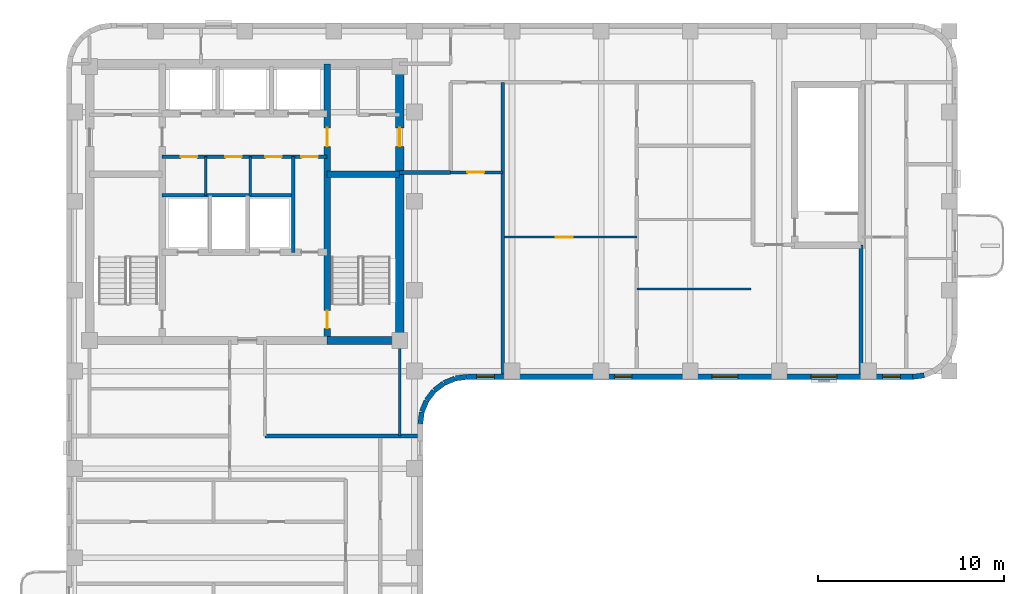
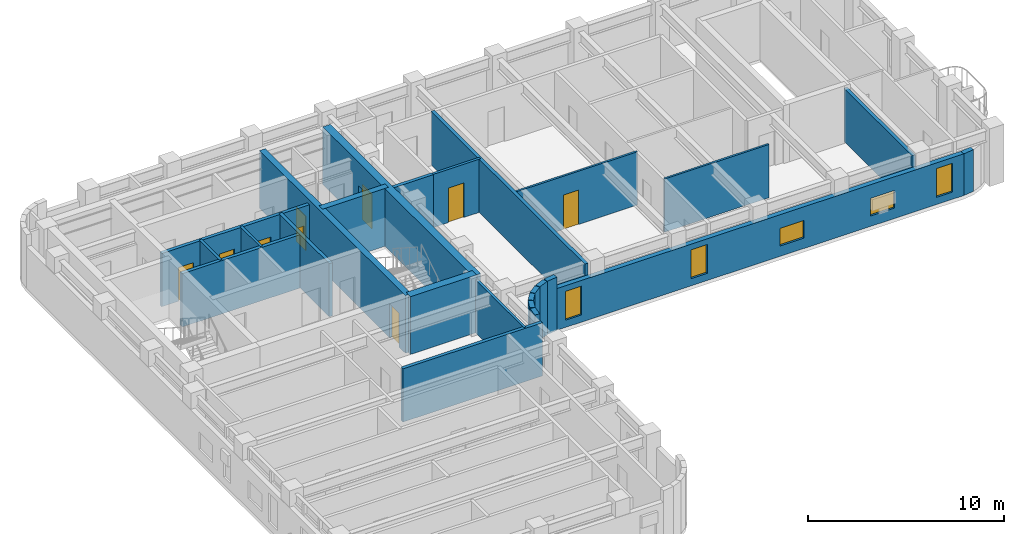
# One storey, part 4 of 8: 25 walls, 9 doors, 5 windows, 14 openings.
"""IFC4 building model written with IfcOpenShell, lengths in metres."""

from ifc_helpers import new_model, si_unit, direction, frame, frame_2d, origin, place, context, subcontext, project, spatial, rectangle, extrude, material, layer, layer_set, type_object, element, fill, save


model = new_model("IFC4")

# Units and contexts
model_context = context("Model", 3, precision=1e-05, world=origin(), true_north=direction((0.0, 1.0)))
body_context = subcontext(model_context, "Body", "Model", "MODEL_VIEW")
ifc_project = project(units=[si_unit("LENGTHUNIT", "METRE"), si_unit("AREAUNIT", "SQUARE_METRE"), si_unit("VOLUMEUNIT", "CUBIC_METRE"), si_unit("PLANEANGLEUNIT", "RADIAN"), si_unit("MASSUNIT", "GRAM", prefix="KILO")], contexts=[model_context])

# Site, building, storey
site_placement = place(None, origin())
site = spatial("IfcSite", under=ifc_project, at=site_placement, CompositionType="ELEMENT")
building_placement = place(site_placement, origin())
building = spatial("IfcBuilding", under=site, at=building_placement, Name="Orvandelia Arch Residences", CompositionType="ELEMENT")
storey_placement = place(building_placement, frame((0.0, 0.0, 236.199951171875)))
storey = spatial("IfcBuildingStorey", under=building, at=storey_placement, Name="L62", CompositionType="ELEMENT", Elevation=236.199951171875)

# Wall, openings, doors
ifc_material_1 = material(Name="Concrete C50/60", Category="concrete")
ifc_layer_1 = layer(ifc_material_1, 0.35009765625, Name="Concrete C50/60", Category="concrete")
ifc_layer_set_1 = layer_set([ifc_layer_1], Name="Concrete C50/60")
wall_type_1 = type_object("IfcWallType", Name="WL-CORE-350", PredefinedType="SHEAR", material=ifc_layer_set_1)
wall_1_placement = place(storey_placement, frame((18.840087890625, 30.89990234375, 0.0), z_axis=(0.0, 0.0, 1.0), x_axis=(0.0, 1.0, 0.0)))
wall_1 = element("IfcWall", 1, at=wall_1_placement, inside=storey, type_object=wall_type_1, Name="Core Shear Wall L62-WEB2", PredefinedType="SHEAR", context=body_context, shape_type="SweptSolid", body=[
    extrude(rectangle(XDim=14.900146484375, YDim=0.35009765625, at=frame_2d((7.4501953125, 0.0))), origin(), (0.0, 0.0, 1.0), 3.60009765625),
])
opening_1_placement = place(wall_1_placement, frame((0.64990234375, 0.0, 0.0)))
opening_1 = element("IfcOpeningElement", 2, at=opening_1_placement, cuts=wall_1, Name="Opening D7", PredefinedType="OPENING", context=body_context, shape_type="SweptSolid", body=[
    extrude(rectangle(XDim=0.949951171875, YDim=2.10009765625, at=frame_2d((0.47509765625, 1.050048828125))), frame((0.0, 0.18505859375, 0.0), z_axis=(0.0, -1.0, 0.0), x_axis=(1.0, 0.0, 0.0)), (0.0, 0.0, 1.0), 0.3701171875),
])
opening_2_placement = place(wall_1_placement, frame((10.449951171875, 0.0, 0.0)))
opening_2 = element("IfcOpeningElement", 3, at=opening_2_placement, cuts=wall_1, Name="Opening D6", PredefinedType="OPENING", context=body_context, shape_type="SweptSolid", body=[
    extrude(rectangle(XDim=1.0, YDim=2.14990234375, at=frame_2d((0.5, 1.074951171875))), frame((0.0, 0.18505859375, 0.0), z_axis=(0.0, -1.0, 0.0), x_axis=(1.0, 0.0, 0.0)), (0.0, 0.0, 1.0), 0.3701171875),
])
ifc_material_2 = material(Name="Smokeproof Painted Steel Fire Door", Category="steel")
door_type_1 = type_object("IfcDoorType", Name="DR-FD60-1000", OperationType="NOTDEFINED", PredefinedType="DOOR", material=ifc_material_2)
door_1_placement = place(opening_2_placement, origin())
door_1 = element("IfcDoor", 4, at=door_1_placement, inside=storey, type_object=door_type_1, Name="High-Rise Lift Hall East Vestibule Door L62", OperationType="SINGLE_SWING_RIGHT", OverallHeight=2.14990234375, OverallWidth=1.0, PredefinedType="DOOR", context=body_context, shape_type="SweptSolid", body=[
    extrude(rectangle(XDim=1.0, YDim=2.14990234375, at=frame_2d((0.5, 1.074951171875))), frame((0.0, 0.02490234375, 0.0), z_axis=(0.0, -1.0, 0.0), x_axis=(1.0, 0.0, 0.0)), (0.0, 0.0, 1.0), 0.050048828125),
])
fill(opening_2, door_1)
ifc_material_3 = material(Name="Pressurised Stairwell Fire Door")
door_type_2 = type_object("IfcDoorType", Name="DR-STAIR-950", OperationType="NOTDEFINED", PredefinedType="DOOR", material=ifc_material_3)
door_2_placement = place(opening_1_placement, origin())
door_2 = element("IfcDoor", 5, at=door_2_placement, inside=storey, type_object=door_type_2, Name="Stairwell ST-2 Fire Door L62", OperationType="SINGLE_SWING_RIGHT", OverallHeight=2.10009765625, OverallWidth=0.949951171875, PredefinedType="DOOR", context=body_context, shape_type="SweptSolid", body=[
    extrude(rectangle(XDim=0.949951171875, YDim=2.10009765625, at=frame_2d((0.47509765625, 1.050048828125))), frame((0.0, 0.02490234375, 0.0), z_axis=(0.0, -1.0, 0.0), x_axis=(1.0, 0.0, 0.0)), (0.0, 0.0, 1.0), 0.050048828125),
])
fill(opening_1, door_2)

# Wall
wall_2_placement = place(storey_placement, frame((18.840087890625, 39.85009765625, 0.0), z_axis=(0.0, 0.0, 1.0), x_axis=(1.0, 0.0, 0.0)))
element("IfcWall", 6, at=wall_2_placement, inside=storey, type_object=wall_type_1, Name="Core Shear Wall L62-HZ2", PredefinedType="SHEAR", context=body_context, shape_type="SweptSolid", body=[
    extrude(rectangle(XDim=3.909912109375, YDim=0.35009765625, at=frame_2d((1.955078125, 0.0))), origin(), (0.0, 0.0, 1.0), 3.60009765625),
])

# Wall, opening, door
ifc_layer_2 = layer(ifc_material_1, 0.449951171875, Name="Concrete C50/60", Category="concrete")
ifc_layer_set_2 = layer_set([ifc_layer_2], Name="Concrete C50/60")
wall_type_2 = type_object("IfcWallType", Name="WL-CORE-450", PredefinedType="SHEAR", material=ifc_layer_set_2)
wall_3_placement = place(storey_placement, frame((22.75, 30.675048828125, 0.0), z_axis=(0.0, 0.0, 1.0), x_axis=(0.0, 1.0, 0.0)))
wall_3 = element("IfcWall", 7, at=wall_3_placement, inside=storey, type_object=wall_type_2, Name="Core Shear Wall L62-E", PredefinedType="SHEAR", context=body_context, shape_type="SweptSolid", body=[
    extrude(rectangle(XDim=15.349853515625, YDim=0.449951171875, at=frame_2d((7.6748046875, 0.0))), origin(), (0.0, 0.0, 1.0), 3.60009765625),
])
opening_3_placement = place(wall_3_placement, frame((10.675048828125, 0.0, 0.0)))
opening_3 = element("IfcOpeningElement", 8, at=opening_3_placement, cuts=wall_3, Name="Opening D6", PredefinedType="OPENING", context=body_context, shape_type="SweptSolid", body=[
    extrude(rectangle(XDim=1.0, YDim=2.14990234375, at=frame_2d((0.5, 1.074951171875))), frame((0.0, 0.23486328125, 0.0), z_axis=(0.0, -1.0, 0.0), x_axis=(1.0, 0.0, 0.0)), (0.0, 0.0, 1.0), 0.469970703125),
])
door_3_placement = place(opening_3_placement, origin())
door_3 = element("IfcDoor", 9, at=door_3_placement, inside=storey, type_object=door_type_1, Name="Core East Corridor Link Door L62", OperationType="SINGLE_SWING_LEFT", OverallHeight=2.14990234375, OverallWidth=1.0, PredefinedType="DOOR", context=body_context, shape_type="SweptSolid", body=[
    extrude(rectangle(XDim=1.0, YDim=2.14990234375, at=frame_2d((0.5, 1.074951171875))), frame((0.0, 0.02490234375, 0.0), z_axis=(0.0, -1.0, 0.0), x_axis=(1.0, 0.0, 0.0)), (0.0, 0.0, 1.0), 0.050048828125),
])
fill(opening_3, door_3)

# Walls
wall_4_placement = place(storey_placement, frame((18.840087890625, 30.89990234375, 0.0), z_axis=(0.0, 0.0, 1.0), x_axis=(1.0, 0.0, 0.0)))
element("IfcWall", 10, at=wall_4_placement, inside=storey, type_object=wall_type_2, Name="Core Shear Wall L62-SE", PredefinedType="SHEAR", context=body_context, shape_type="SweptSolid", body=[
    extrude(rectangle(XDim=3.909912109375, YDim=0.449951171875, at=frame_2d((1.955078125, 0.0))), origin(), (0.0, 0.0, 1.0), 3.60009765625),
])
ifc_material_4 = material(Name="Fire-Rated Corridor Partition")
ifc_layer_3 = layer(ifc_material_4, 0.199951171875, Name="Fire-Rated Corridor Partition")
ifc_layer_set_3 = layer_set([ifc_layer_3], Name="Fire-Rated Corridor Partition")
wall_type_3 = type_object("IfcWallType", Name="WL-CORR-200", PredefinedType="PARTITIONING", material=ifc_layer_set_3)
wall_5_placement = place(storey_placement, frame((15.5, 25.75, 0.0), z_axis=(0.0, 0.0, 1.0), x_axis=(1.0, 0.0, 0.0)))
element("IfcWall", 11, at=wall_5_placement, inside=storey, type_object=wall_type_3, Name="Interior Partition Wall WL-L62-WLNK-NE", PredefinedType="PARTITIONING", context=body_context, shape_type="SweptSolid", body=[
    extrude(rectangle(XDim=8.219970703125, YDim=0.199951171875, at=frame_2d((4.10986328125, 0.0))), origin(), (0.0, 0.0, 1.0), 3.320068359375),
])
wall_6_placement = place(storey_placement, frame((22.75, 39.949951171875, 0.0), z_axis=(0.0, 0.0, 1.0), x_axis=(1.0, 0.0, 0.0)))
element("IfcWall", 12, at=wall_6_placement, inside=storey, type_object=wall_type_3, Name="Interior Partition Wall WL-L62-EN2-LS", PredefinedType="PARTITIONING", context=body_context, shape_type="SweptSolid", body=[
    extrude(rectangle(XDim=2.75, YDim=0.199951171875, at=frame_2d((1.375, 0.0))), origin(), (0.0, 0.0, 1.0), 3.320068359375),
])
ifc_material_5 = material(Name="Concrete C40/50", Category="concrete")
ifc_layer_4 = layer(ifc_material_5, 0.199951171875, Name="Concrete C40/50", Category="concrete")
ifc_layer_set_4 = layer_set([ifc_layer_4], Name="Concrete C40/50")
wall_type_4 = type_object("IfcWallType", Name="WL-DEM-200", PredefinedType="SOLIDWALL", material=ifc_layer_set_4)
wall_7_placement = place(storey_placement, frame((28.300048828125, 29.080078125, 0.0), z_axis=(0.0, 0.0, 1.0), x_axis=(0.0, 1.0, 0.0)))
element("IfcWall", 13, at=wall_7_placement, inside=storey, type_object=wall_type_4, Name="Interior Partition Wall WL-L62-EN2-KLE", PredefinedType="SOLIDWALL", context=body_context, shape_type="SweptSolid", body=[
    extrude(rectangle(XDim=15.719970703125, YDim=0.199951171875, at=frame_2d((7.85986328125, 0.0))), origin(), (0.0, 0.0, 1.0), 3.320068359375),
])
wall_8_placement = place(storey_placement, frame((47.60009765625, 29.080078125, 0.0), z_axis=(0.0, 0.0, 1.0), x_axis=(0.0, 1.0, 0.0)))
element("IfcWall", 14, at=wall_8_placement, inside=storey, type_object=wall_type_4, Name="Interior Partition Wall WL-L62-EN2-SLE", PredefinedType="SOLIDWALL", context=body_context, shape_type="SweptSolid", body=[
    extrude(rectangle(XDim=6.9599609375, YDim=0.199951171875, at=frame_2d((3.47998046875, 0.0))), origin(), (0.0, 0.0, 1.0), 3.320068359375),
])
ifc_material_6 = material(Name="Precast concrete C40/50", Category="concrete")
ifc_layer_5 = layer(ifc_material_6, 0.280029296875, Name="Precast concrete C40/50", Category="concrete")
ifc_layer_set_5 = layer_set([ifc_layer_5], Name="Precast concrete C40/50")
wall_type_5 = type_object("IfcWallType", Name="WL-EXT-STONE-280", PredefinedType="STANDARD", material=ifc_layer_set_5)
wall_9_placement = place(storey_placement, frame((51.0029296875, 29.0205078125, 0.0), z_axis=(0.0, 0.0, 1.0), x_axis=(-0.991447664465, -0.130504898859, 0.0)))
element("IfcWall", 15, at=wall_9_placement, inside=storey, type_object=wall_type_5, Name="Coral-Limestone Precast Facade Wall L62-020", PredefinedType="STANDARD", context=body_context, shape_type="SweptSolid", body=[
    extrude(rectangle(XDim=0.626708984375, YDim=0.280029296875, at=frame_2d((0.3134765625, 0.0))), origin(), (0.0, 0.0, 1.0), 2.60009765625),
])

# Wall, openings, windows
wall_10_placement = place(storey_placement, frame((50.39990234375, 28.93994140625, 0.0), z_axis=(0.0, 0.0, 1.0), x_axis=(-1.0, 0.0, 0.0)))
wall_10 = element("IfcWall", 16, at=wall_10_placement, inside=storey, type_object=wall_type_5, Name="Coral-Limestone Precast Facade Wall L62-021", PredefinedType="STANDARD", context=body_context, shape_type="SweptSolid", body=[
    extrude(rectangle(XDim=24.0, YDim=0.280029296875, at=frame_2d((12.0, 0.0))), origin(), (0.0, 0.0, 1.0), 2.60009765625),
])
opening_4_placement = place(wall_10_placement, frame((9.4375, 0.0, 0.64990234375)))
opening_4 = element("IfcOpeningElement", 17, at=opening_4_placement, cuts=wall_10, Name="Opening W10", PredefinedType="OPENING", context=body_context, shape_type="SweptSolid", body=[
    extrude(rectangle(XDim=1.39990234375, YDim=1.10009765625, at=frame_2d((0.699951171875, 0.550048828125))), frame((0.0, 0.14990234375, 0.0), z_axis=(0.0, -1.0, 0.0), x_axis=(1.0, 0.0, 0.0)), (0.0, 0.0, 1.0), 0.300048828125),
])
opening_5_placement = place(wall_10_placement, frame((22.554931640625, 0.0, 0.449951171875)))
opening_5 = element("IfcOpeningElement", 18, at=opening_5_placement, cuts=wall_10, Name="Opening W4", PredefinedType="OPENING", context=body_context, shape_type="SweptSolid", body=[
    extrude(rectangle(XDim=0.949951171875, YDim=1.800048828125, at=frame_2d((0.47509765625, 0.89990234375))), frame((0.0, 0.14990234375, 0.0), z_axis=(0.0, -1.0, 0.0), x_axis=(1.0, 0.0, 0.0)), (0.0, 0.0, 1.0), 0.300048828125),
])
opening_6_placement = place(wall_10_placement, frame((4.10009765625, 0.0, 0.64990234375)))
opening_6 = element("IfcOpeningElement", 19, at=opening_6_placement, cuts=wall_10, Name="Opening W10", PredefinedType="OPENING", context=body_context, shape_type="SweptSolid", body=[
    extrude(rectangle(XDim=1.39990234375, YDim=1.10009765625, at=frame_2d((0.699951171875, 0.550048828125))), frame((0.0, 0.14990234375, 0.0), z_axis=(0.0, -1.0, 0.0), x_axis=(1.0, 0.0, 0.0)), (0.0, 0.0, 1.0), 0.300048828125),
])
opening_7_placement = place(wall_10_placement, frame((15.138427734375, 0.0, 0.449951171875)))
opening_7 = element("IfcOpeningElement", 20, at=opening_7_placement, cuts=wall_10, Name="Opening W4", PredefinedType="OPENING", context=body_context, shape_type="SweptSolid", body=[
    extrude(rectangle(XDim=0.949951171875, YDim=1.800048828125, at=frame_2d((0.47509765625, 0.89990234375))), frame((0.0, 0.14990234375, 0.0), z_axis=(0.0, -1.0, 0.0), x_axis=(1.0, 0.0, 0.0)), (0.0, 0.0, 1.0), 0.300048828125),
])
opening_8_placement = place(wall_10_placement, frame((0.680908203125, 0.0, 0.449951171875)))
opening_8 = element("IfcOpeningElement", 21, at=opening_8_placement, cuts=wall_10, Name="Opening W4", PredefinedType="OPENING", context=body_context, shape_type="SweptSolid", body=[
    extrude(rectangle(XDim=0.949951171875, YDim=1.800048828125, at=frame_2d((0.47509765625, 0.89990234375))), frame((0.0, 0.14990234375, 0.0), z_axis=(0.0, -1.0, 0.0), x_axis=(1.0, 0.0, 0.0)), (0.0, 0.0, 1.0), 0.300048828125),
])
ifc_material_7 = material(Name="Tempered Low-E Insulated Glazing", Category="glass")
window_type_1 = type_object("IfcWindowType", Name="WIN-CLR-1400x1100", PartitioningType="SINGLE_PANEL", PredefinedType="WINDOW", material=ifc_material_7)
window_1_placement = place(opening_4_placement, origin())
window_1 = element("IfcWindow", 22, at=window_1_placement, inside=storey, type_object=window_type_1, Name="Recessed Punched Window L62-007", OverallHeight=1.10009765625, OverallWidth=1.39990234375, PartitioningType="SINGLE_PANEL", PredefinedType="WINDOW", context=body_context, shape_type="SweptSolid", body=[
    extrude(rectangle(XDim=1.39990234375, YDim=1.10009765625, at=frame_2d((0.699951171875, 0.550048828125))), frame((0.0, 0.030029296875, 0.0), z_axis=(0.0, -1.0, 0.0), x_axis=(1.0, 0.0, 0.0)), (0.0, 0.0, 1.0), 0.06005859375),
])
fill(opening_4, window_1)
window_2_placement = place(opening_6_placement, origin())
window_2 = element("IfcWindow", 23, at=window_2_placement, inside=storey, type_object=window_type_1, Name="Recessed Punched Window L62-009", OverallHeight=1.10009765625, OverallWidth=1.39990234375, PartitioningType="SINGLE_PANEL", PredefinedType="WINDOW", context=body_context, shape_type="SweptSolid", body=[
    extrude(rectangle(XDim=1.39990234375, YDim=1.10009765625, at=frame_2d((0.699951171875, 0.550048828125))), frame((0.0, 0.030029296875, 0.0), z_axis=(0.0, -1.0, 0.0), x_axis=(1.0, 0.0, 0.0)), (0.0, 0.0, 1.0), 0.06005859375),
])
fill(opening_6, window_2)
window_type_2 = type_object("IfcWindowType", Name="WIN-RES-0950x1800", PartitioningType="SINGLE_PANEL", PredefinedType="WINDOW", material=ifc_material_7)
window_3_placement = place(opening_5_placement, origin())
window_3 = element("IfcWindow", 24, at=window_3_placement, inside=storey, type_object=window_type_2, Name="Recessed Punched Window L62-008", OverallHeight=1.800048828125, OverallWidth=0.949951171875, PartitioningType="SINGLE_PANEL", PredefinedType="WINDOW", context=body_context, shape_type="SweptSolid", body=[
    extrude(rectangle(XDim=0.949951171875, YDim=1.800048828125, at=frame_2d((0.47509765625, 0.89990234375))), frame((0.0, 0.030029296875, 0.0), z_axis=(0.0, -1.0, 0.0), x_axis=(1.0, 0.0, 0.0)), (0.0, 0.0, 1.0), 0.06005859375),
])
fill(opening_5, window_3)
window_4_placement = place(opening_7_placement, origin())
window_4 = element("IfcWindow", 25, at=window_4_placement, inside=storey, type_object=window_type_2, Name="Recessed Punched Window L62-010", OverallHeight=1.800048828125, OverallWidth=0.949951171875, PartitioningType="SINGLE_PANEL", PredefinedType="WINDOW", context=body_context, shape_type="SweptSolid", body=[
    extrude(rectangle(XDim=0.949951171875, YDim=1.800048828125, at=frame_2d((0.47509765625, 0.89990234375))), frame((0.0, 0.030029296875, 0.0), z_axis=(0.0, -1.0, 0.0), x_axis=(1.0, 0.0, 0.0)), (0.0, 0.0, 1.0), 0.06005859375),
])
fill(opening_7, window_4)
window_5_placement = place(opening_8_placement, origin())
window_5 = element("IfcWindow", 26, at=window_5_placement, inside=storey, type_object=window_type_2, Name="Recessed Punched Window L62-011", OverallHeight=1.800048828125, OverallWidth=0.949951171875, PartitioningType="SINGLE_PANEL", PredefinedType="WINDOW", context=body_context, shape_type="SweptSolid", body=[
    extrude(rectangle(XDim=0.949951171875, YDim=1.800048828125, at=frame_2d((0.47509765625, 0.89990234375))), frame((0.0, 0.030029296875, 0.0), z_axis=(0.0, -1.0, 0.0), x_axis=(1.0, 0.0, 0.0)), (0.0, 0.0, 1.0), 0.06005859375),
])
fill(opening_8, window_5)

# Walls
wall_11_placement = place(storey_placement, frame((26.381591796875, 28.938720703125, 0.0), z_axis=(0.0, 0.0, 1.0), x_axis=(-0.9914410257, -0.130555323746, 0.0)))
element("IfcWall", 27, at=wall_11_placement, inside=storey, type_object=wall_type_5, Name="Coral-Limestone Precast Facade Wall L62-022", PredefinedType="STANDARD", context=body_context, shape_type="SweptSolid", body=[
    extrude(rectangle(XDim=0.62646484375, YDim=0.280029296875, at=frame_2d((0.313232421875, 0.0))), origin(), (0.0, 0.0, 1.0), 3.320068359375),
])
wall_12_placement = place(storey_placement, frame((25.72509765625, 28.847412109375, 0.0), z_axis=(0.0, 0.0, 1.0), x_axis=(-0.923974080304, -0.382455093999, 0.0)))
element("IfcWall", 28, at=wall_12_placement, inside=storey, type_object=wall_type_5, Name="Coral-Limestone Precast Facade Wall L62-023", PredefinedType="STANDARD", context=body_context, shape_type="SweptSolid", body=[
    extrude(rectangle(XDim=0.626220703125, YDim=0.280029296875, at=frame_2d((0.31298828125, 0.0))), origin(), (0.0, 0.0, 1.0), 3.320068359375),
])
for number, where, z_axis, x_axis, name in (
    (29, (25.11474609375, 28.589599609375, 0.0), (0.0, 0.0, 1.0), (-0.793405610854, -0.608693302629, 0.0), "Coral-Limestone Precast Facade Wall L62-024"),
    (30, (24.591796875, 28.182373046875, 0.0), (0.0, 0.0, 1.0), (-0.608693302629, -0.793405610854, 0.0), "Coral-Limestone Precast Facade Wall L62-025"),
    (31, (24.192138671875, 27.653564453125, 0.0), (0.0, 0.0, 1.0), (-0.382650053678, -0.92389335771, 0.0), "Coral-Limestone Precast Facade Wall L62-026"),
):
    element("IfcWall", number, at=place(storey_placement, frame(where, z_axis=z_axis, x_axis=x_axis)), inside=storey, type_object=wall_type_5, Name=name, PredefinedType="STANDARD", context=body_context, shape_type="SweptSolid", body=[
        extrude(rectangle(XDim=0.62646484375, YDim=0.280029296875, at=frame_2d((0.313232421875, 0.0))), origin(), (0.0, 0.0, 1.0), 3.320068359375),
    ])
wall_13_placement = place(storey_placement, frame((23.943115234375, 27.03955078125, 0.0), z_axis=(0.0, 0.0, 1.0), x_axis=(-0.130887801573, -0.991397187508, 0.0)))
element("IfcWall", 32, at=wall_13_placement, inside=storey, type_object=wall_type_5, Name="Coral-Limestone Precast Facade Wall L62-027", PredefinedType="STANDARD", context=body_context, shape_type="SweptSolid", body=[
    extrude(rectangle(XDim=0.626708984375, YDim=0.280029296875, at=frame_2d((0.3134765625, 0.0))), origin(), (0.0, 0.0, 1.0), 3.320068359375),
])

# Wall, opening, door
ifc_material_8 = material(Name="Lightweight Gypsum Stud Partition")
ifc_layer_6 = layer(ifc_material_8, 0.1201171875, Name="Lightweight Gypsum Stud Partition")
ifc_layer_set_6 = layer_set([ifc_layer_6], Name="Lightweight Gypsum Stud Partition")
wall_type_6 = type_object("IfcWallType", Name="WL-PART-120", PredefinedType="PARTITIONING", material=ifc_layer_set_6)
wall_14_placement = place(storey_placement, frame((28.39990234375, 36.468017578125, 0.0), z_axis=(0.0, 0.0, 1.0), x_axis=(1.0, 0.0, 0.0)))
wall_14 = element("IfcWall", 33, at=wall_14_placement, inside=storey, type_object=wall_type_6, Name="Interior Partition Wall WL-L62-U04-DIN", PredefinedType="PARTITIONING", context=body_context, shape_type="SweptSolid", body=[
    extrude(rectangle(XDim=7.128173828125, YDim=0.1201171875, at=frame_2d((3.56396484375, 0.0))), origin(), (0.0, 0.0, 1.0), 3.320068359375),
])
opening_9_placement = place(wall_14_placement, frame((2.7666015625, 0.0, 0.0)))
opening_9 = element("IfcOpeningElement", 34, at=opening_9_placement, cuts=wall_14, Name="Opening D3", PredefinedType="OPENING", context=body_context, shape_type="SweptSolid", body=[
    extrude(rectangle(XDim=0.89990234375, YDim=2.14990234375, at=frame_2d((0.449951171875, 1.074951171875))), frame((0.0, 0.070068359375, 0.0), z_axis=(0.0, -1.0, 0.0), x_axis=(1.0, 0.0, 0.0)), (0.0, 0.0, 1.0), 0.14013671875),
])
ifc_material_9 = material(Name="Engineered Timber Flush Door", Category="wood")
door_type_3 = type_object("IfcDoorType", Name="DR-INT-900", OperationType="NOTDEFINED", PredefinedType="DOOR", material=ifc_material_9)
door_4_placement = place(opening_9_placement, origin())
door_4 = element("IfcDoor", 35, at=door_4_placement, inside=storey, type_object=door_type_3, Name="DR-L62-U04-DIN", OperationType="SINGLE_SWING_LEFT", OverallHeight=2.14990234375, OverallWidth=0.89990234375, PredefinedType="DOOR", context=body_context, shape_type="SweptSolid", body=[
    extrude(rectangle(XDim=0.89990234375, YDim=2.14990234375, at=frame_2d((0.449951171875, 1.074951171875))), frame((0.0, 0.02490234375, 0.0), z_axis=(0.0, -1.0, 0.0), x_axis=(1.0, 0.0, 0.0)), (0.0, 0.0, 1.0), 0.050048828125),
])
fill(opening_9, door_4)

# Walls
wall_15_placement = place(storey_placement, frame((35.528076171875, 33.6708984375, 0.0), z_axis=(0.0, 0.0, 1.0), x_axis=(1.0, 0.0, 0.0)))
element("IfcWall", 36, at=wall_15_placement, inside=storey, type_object=wall_type_6, Name="Interior Partition Wall WL-L62-U04-H1", PredefinedType="PARTITIONING", context=body_context, shape_type="SweptSolid", body=[
    extrude(rectangle(XDim=6.15185546875, YDim=0.1201171875, at=frame_2d((3.075927734375, 0.0))), origin(), (0.0, 0.0, 1.0), 3.320068359375),
])
ifc_material_10 = material(Name="Acoustic Gypsum Stud Partition")
ifc_layer_7 = layer(ifc_material_10, 0.14990234375, Name="Acoustic Gypsum Stud Partition")
ifc_layer_set_7 = layer_set([ifc_layer_7], Name="Acoustic Gypsum Stud Partition")
wall_type_7 = type_object("IfcWallType", Name="WL-PART-150", PredefinedType="PARTITIONING", material=ifc_layer_set_7)
for number, where, z_axis, x_axis, name in (
    (37, (12.300048828125, 38.719970703125, 0.0), (0.0, 0.0, 1.0), (0.0, 1.0, 0.0), "Interior Partition Wall WL-L62-CSA-1"),
    (38, (14.699951171875, 38.719970703125, 0.0), (0.0, 0.0, 1.0), (0.0, 1.0, 0.0), "Interior Partition Wall WL-L62-CSA-2"),
):
    element("IfcWall", number, at=place(storey_placement, frame(where, z_axis=z_axis, x_axis=x_axis)), inside=storey, type_object=wall_type_7, Name=name, PredefinedType="PARTITIONING", context=body_context, shape_type="SweptSolid", body=[
        extrude(rectangle(XDim=2.080078125, YDim=0.14990234375, at=frame_2d((1.0400390625, 0.0))), origin(), (0.0, 0.0, 1.0), 3.320068359375),
    ])
wall_16_placement = place(storey_placement, frame((22.75, 25.75, 0.0), z_axis=(0.0, 0.0, 1.0), x_axis=(0.0, 1.0, 0.0)))
element("IfcWall", 39, at=wall_16_placement, inside=storey, type_object=wall_type_7, Name="Interior Partition Wall WL-L62-HI-WE", PredefinedType="PARTITIONING", context=body_context, shape_type="SweptSolid", body=[
    extrude(rectangle(XDim=5.14990234375, YDim=0.14990234375, at=frame_2d((2.574951171875, 0.0))), origin(), (0.0, 0.0, 1.0), 3.320068359375),
])

# Wall, opening, door
wall_17_placement = place(storey_placement, frame((25.5, 39.949951171875, 0.0), z_axis=(0.0, 0.0, 1.0), x_axis=(1.0, 0.0, 0.0)))
wall_17 = element("IfcWall", 40, at=wall_17_placement, inside=storey, type_object=wall_type_7, Name="Interior Partition Wall WL-L62-EN2-KLN", PredefinedType="PARTITIONING", context=body_context, shape_type="SweptSolid", body=[
    extrude(rectangle(XDim=2.800048828125, YDim=0.14990234375, at=frame_2d((1.39990234375, 0.0))), origin(), (0.0, 0.0, 1.0), 3.320068359375),
])
opening_10_placement = place(wall_17_placement, frame((0.89990234375, 0.0, 0.0)))
opening_10 = element("IfcOpeningElement", 41, at=opening_10_placement, cuts=wall_17, Name="Opening D3", PredefinedType="OPENING", context=body_context, shape_type="SweptSolid", body=[
    extrude(rectangle(XDim=0.89990234375, YDim=2.14990234375, at=frame_2d((0.449951171875, 1.074951171875))), frame((0.0, 0.0849609375, 0.0), z_axis=(0.0, -1.0, 0.0), x_axis=(1.0, 0.0, 0.0)), (0.0, 0.0, 1.0), 0.169921875),
])
door_5_placement = place(opening_10_placement, origin())
door_5 = element("IfcDoor", 42, at=door_5_placement, inside=storey, type_object=door_type_3, Name="DR-L62-EN2KNK", OperationType="SINGLE_SWING_RIGHT", OverallHeight=2.14990234375, OverallWidth=0.89990234375, PredefinedType="DOOR", context=body_context, shape_type="SweptSolid", body=[
    extrude(rectangle(XDim=0.89990234375, YDim=2.14990234375, at=frame_2d((0.449951171875, 1.074951171875))), frame((0.0, 0.02490234375, 0.0), z_axis=(0.0, -1.0, 0.0), x_axis=(1.0, 0.0, 0.0)), (0.0, 0.0, 1.0), 0.050048828125),
])
fill(opening_10, door_5)

# Walls
ifc_material_11 = material(Name="Fire-Rated Shaft Enclosure Wall")
ifc_layer_8 = layer(ifc_material_11, 0.199951171875, Name="Fire-Rated Shaft Enclosure Wall")
ifc_layer_set_8 = layer_set([ifc_layer_8], Name="Fire-Rated Shaft Enclosure Wall")
wall_type_8 = type_object("IfcWallType", Name="WL-SHAFT-200", PredefinedType="POLYGONAL", material=ifc_layer_set_8)
wall_18_placement = place(storey_placement, frame((9.9599609375, 38.719970703125, 0.0), z_axis=(0.0, 0.0, 1.0), x_axis=(1.0, 0.0, 0.0)))
element("IfcWall", 43, at=wall_18_placement, inside=storey, type_object=wall_type_8, Name="Interior Partition Wall WL-L62-FLN", PredefinedType="POLYGONAL", context=body_context, shape_type="SweptSolid", body=[
    extrude(rectangle(XDim=7.06005859375, YDim=0.199951171875, at=frame_2d((3.530029296875, 0.0))), origin(), (0.0, 0.0, 1.0), 3.320068359375),
])
wall_19_placement = place(storey_placement, frame((17.02001953125, 35.64990234375, 0.0), z_axis=(0.0, 0.0, 1.0), x_axis=(0.0, 1.0, 0.0)))
element("IfcWall", 44, at=wall_19_placement, inside=storey, type_object=wall_type_8, Name="Interior Partition Wall WL-L62-FLM3", PredefinedType="POLYGONAL", context=body_context, shape_type="SweptSolid", body=[
    extrude(rectangle(XDim=5.150146484375, YDim=0.199951171875, at=frame_2d((2.5751953125, 0.0))), origin(), (0.0, 0.0, 1.0), 3.320068359375),
])

# Wall, openings, doors
wall_20_placement = place(storey_placement, frame((9.9599609375, 40.800048828125, 0.0), z_axis=(0.0, 0.0, 1.0), x_axis=(1.0, 0.0, 0.0)))
wall_20 = element("IfcWall", 45, at=wall_20_placement, inside=storey, type_object=wall_type_8, Name="Interior Partition Wall WL-L62-HLH-S", PredefinedType="POLYGONAL", context=body_context, shape_type="SweptSolid", body=[
    extrude(rectangle(XDim=8.880126953125, YDim=0.199951171875, at=frame_2d((4.43994140625, 0.0))), origin(), (0.0, 0.0, 1.0), 3.320068359375),
])
opening_11_placement = place(wall_20_placement, frame((7.5, 0.0, 0.0)))
opening_11 = element("IfcOpeningElement", 46, at=opening_11_placement, cuts=wall_20, Name="Opening D5", PredefinedType="OPENING", context=body_context, shape_type="SweptSolid", body=[
    extrude(rectangle(XDim=0.8798828125, YDim=2.10009765625, at=frame_2d((0.43994140625, 1.050048828125))), frame((0.0, 0.10986328125, 0.0), z_axis=(0.0, -1.0, 0.0), x_axis=(1.0, 0.0, 0.0)), (0.0, 0.0, 1.0), 0.219970703125),
])
opening_12_placement = place(wall_20_placement, frame((1.0, 0.0, 0.0)))
opening_12 = element("IfcOpeningElement", 47, at=opening_12_placement, cuts=wall_20, Name="Opening D5", PredefinedType="OPENING", context=body_context, shape_type="SweptSolid", body=[
    extrude(rectangle(XDim=0.8798828125, YDim=2.10009765625, at=frame_2d((0.43994140625, 1.050048828125))), frame((0.0, 0.10986328125, 0.0), z_axis=(0.0, -1.0, 0.0), x_axis=(1.0, 0.0, 0.0)), (0.0, 0.0, 1.0), 0.219970703125),
])
opening_13_placement = place(wall_20_placement, frame((3.39990234375, 0.0, 0.0)))
opening_13 = element("IfcOpeningElement", 48, at=opening_13_placement, cuts=wall_20, Name="Opening D5", PredefinedType="OPENING", context=body_context, shape_type="SweptSolid", body=[
    extrude(rectangle(XDim=0.8798828125, YDim=2.10009765625, at=frame_2d((0.43994140625, 1.050048828125))), frame((0.0, 0.10986328125, 0.0), z_axis=(0.0, -1.0, 0.0), x_axis=(1.0, 0.0, 0.0)), (0.0, 0.0, 1.0), 0.219970703125),
])
opening_14_placement = place(wall_20_placement, frame((5.550048828125, 0.0, 0.0)))
opening_14 = element("IfcOpeningElement", 49, at=opening_14_placement, cuts=wall_20, Name="Opening D5", PredefinedType="OPENING", context=body_context, shape_type="SweptSolid", body=[
    extrude(rectangle(XDim=0.8798828125, YDim=2.10009765625, at=frame_2d((0.43994140625, 1.050048828125))), frame((0.0, 0.10986328125, 0.0), z_axis=(0.0, -1.0, 0.0), x_axis=(1.0, 0.0, 0.0)), (0.0, 0.0, 1.0), 0.219970703125),
])
ifc_material_12 = material(Name="Painted Galvanised Steel Service Door", Category="steel")
door_type_4 = type_object("IfcDoorType", Name="DR-SRV-880", OperationType="NOTDEFINED", PredefinedType="DOOR", material=ifc_material_12)
door_6_placement = place(opening_11_placement, origin())
door_6 = element("IfcDoor", 50, at=door_6_placement, inside=storey, type_object=door_type_4, Name="Core Stairway Passage North Fire Door L62", OperationType="SINGLE_SWING_RIGHT", OverallHeight=2.10009765625, OverallWidth=0.8798828125, PredefinedType="DOOR", context=body_context, shape_type="SweptSolid", body=[
    extrude(rectangle(XDim=0.8798828125, YDim=2.10009765625, at=frame_2d((0.43994140625, 1.050048828125))), frame((0.0, 0.02490234375, 0.0), z_axis=(0.0, -1.0, 0.0), x_axis=(1.0, 0.0, 0.0)), (0.0, 0.0, 1.0), 0.050048828125),
])
fill(opening_11, door_6)
door_7_placement = place(opening_12_placement, origin())
door_7 = element("IfcDoor", 51, at=door_7_placement, inside=storey, type_object=door_type_4, Name="DR-L62-CSA1", OperationType="SINGLE_SWING_LEFT", OverallHeight=2.10009765625, OverallWidth=0.8798828125, PredefinedType="DOOR", context=body_context, shape_type="SweptSolid", body=[
    extrude(rectangle(XDim=0.8798828125, YDim=2.10009765625, at=frame_2d((0.43994140625, 1.050048828125))), frame((0.0, 0.02490234375, 0.0), z_axis=(0.0, -1.0, 0.0), x_axis=(1.0, 0.0, 0.0)), (0.0, 0.0, 1.0), 0.050048828125),
])
fill(opening_12, door_7)
door_8_placement = place(opening_13_placement, origin())
door_8 = element("IfcDoor", 52, at=door_8_placement, inside=storey, type_object=door_type_4, Name="DR-L62-CSA2", OperationType="SINGLE_SWING_RIGHT", OverallHeight=2.10009765625, OverallWidth=0.8798828125, PredefinedType="DOOR", context=body_context, shape_type="SweptSolid", body=[
    extrude(rectangle(XDim=0.8798828125, YDim=2.10009765625, at=frame_2d((0.43994140625, 1.050048828125))), frame((0.0, 0.02490234375, 0.0), z_axis=(0.0, -1.0, 0.0), x_axis=(1.0, 0.0, 0.0)), (0.0, 0.0, 1.0), 0.050048828125),
])
fill(opening_13, door_8)
door_9_placement = place(opening_14_placement, origin())
door_9 = element("IfcDoor", 53, at=door_9_placement, inside=storey, type_object=door_type_4, Name="DR-L62-CSA3", OperationType="SINGLE_SWING_LEFT", OverallHeight=2.10009765625, OverallWidth=0.8798828125, PredefinedType="DOOR", context=body_context, shape_type="SweptSolid", body=[
    extrude(rectangle(XDim=0.8798828125, YDim=2.10009765625, at=frame_2d((0.43994140625, 1.050048828125))), frame((0.0, 0.02490234375, 0.0), z_axis=(0.0, -1.0, 0.0), x_axis=(1.0, 0.0, 0.0)), (0.0, 0.0, 1.0), 0.050048828125),
])
fill(opening_14, door_9)

save(model, "model.ifc")
